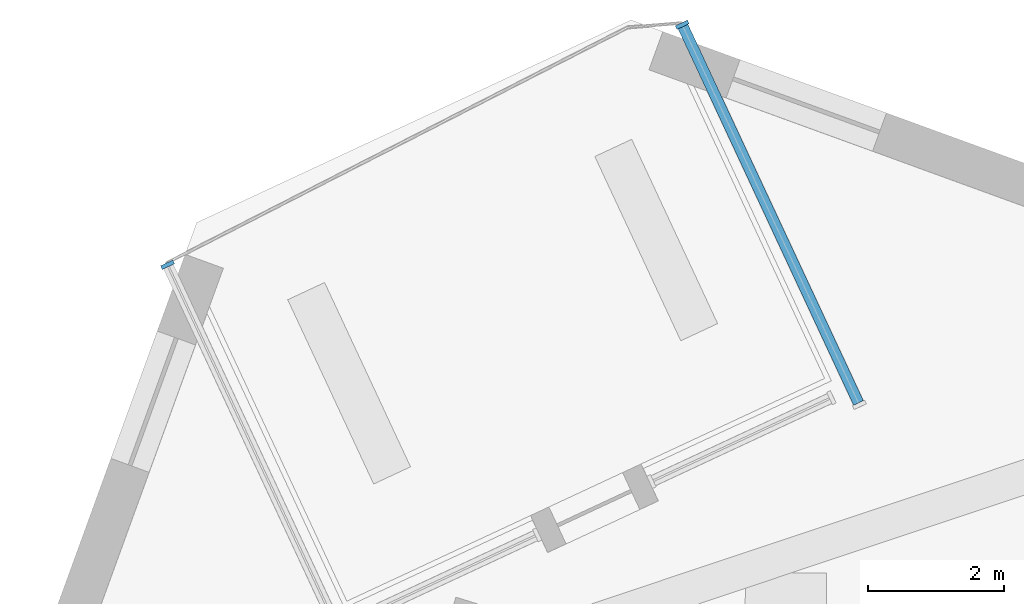
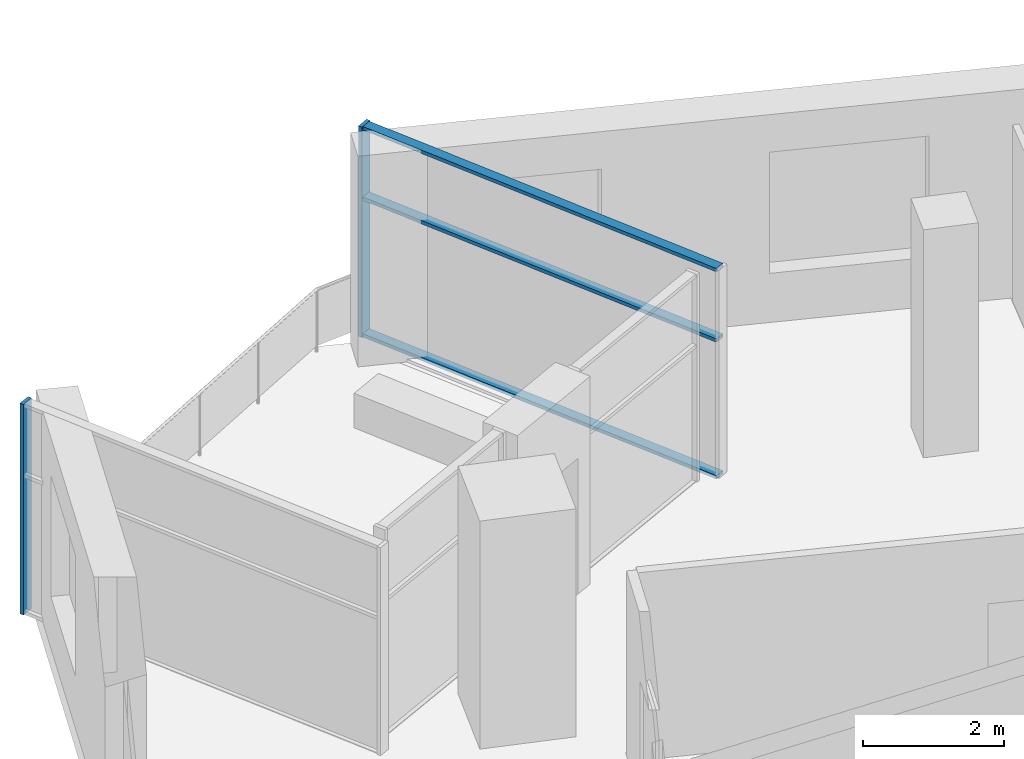
# One storey, part 4 of 13: 5 members, 2 elements without a shape of their own.
"""IFC4 building model written with IfcOpenShell, lengths in metres."""

from ifc_helpers import new_model, si_unit, direction, frame, origin, origin_2d, place, context, subcontext, project, spatial, rectangle, extrude, material, material_profile, profile_set, type_object, element, aggregate, save


model = new_model("IFC4")

# Units and contexts
model_context = context("Model", 3, precision=1e-05, world=origin(), true_north=direction((0.0, 1.0)))
body_context = subcontext(model_context, "Body", "Model", "MODEL_VIEW")
ifc_project = project(units=[si_unit("LENGTHUNIT", "METRE"), si_unit("AREAUNIT", "SQUARE_METRE"), si_unit("VOLUMEUNIT", "CUBIC_METRE"), si_unit("PLANEANGLEUNIT", "RADIAN"), si_unit("MASSUNIT", "GRAM", prefix="KILO")], contexts=[model_context])

# Site, building, storey
site_placement = place(None, origin())
site = spatial("IfcSite", under=ifc_project, at=site_placement, CompositionType="ELEMENT")
building_placement = place(site_placement, origin())
building = spatial("IfcBuilding", under=site, at=building_placement, Name="Dilmun Exchange Tower", CompositionType="ELEMENT")
storey_placement = place(building_placement, frame((0.0, 0.0, 312.5)))
storey = spatial("IfcBuildingStorey", under=building, at=storey_placement, Name="L74", CompositionType="ELEMENT", Elevation=312.5)

# Curtain wall, member
ifc_material_1 = material(Name="Anodised aluminium and clear glass", Category="aluminium")
curtain_wall_type = type_object("IfcCurtainWallType", Name="Garden corner glazing", PredefinedType="NOTDEFINED", material=ifc_material_1)
curtain_wall_1_placement = place(storey_placement, origin())
curtain_wall_1 = element("IfcCurtainWall", 1, at=curtain_wall_1_placement, inside=storey, type_object=curtain_wall_type, Name="Garden corner glazing run GC1.1", PredefinedType="NOTDEFINED")
ifc_material_2 = material(Name="Anodised aluminium", Category="aluminium")
ifc_material_profile_1 = material_profile(ifc_material_2, rectangle(XDim=0.199951171875, YDim=0.06005859375, at=origin_2d()), Name="AL 60x200")
ifc_profile_set_1 = profile_set([ifc_material_profile_1], Name="Anodised aluminium")
member_type_1 = type_object("IfcMemberType", Name="Garden corner glazing mullion 60 x 200", PredefinedType="MULLION", material=ifc_profile_set_1)
member_1_placement = place(storey_placement, frame((-9.658203125, 35.643798828125, 0.0), z_axis=(0.0, 0.0, 1.0), x_axis=(0.906305390357, 0.4226234014, 0.0)))
member_1 = element("IfcMember", 2, at=member_1_placement, type_object=member_type_1, Name="GC1.1 mullion 1", PredefinedType="MULLION", context=body_context, shape_type="SweptSolid", body=[
    extrude(rectangle(XDim=0.199951171875, YDim=0.06005859375, at=origin_2d()), origin(), (0.0, 0.0, 1.0), 3.64990234375),
])

curtain_wall_2_placement = place(storey_placement, origin())
curtain_wall_2 = element("IfcCurtainWall", 3, at=curtain_wall_2_placement, inside=storey, type_object=curtain_wall_type, Name="Garden corner glazing run GC3.1", PredefinedType="NOTDEFINED")
member_2_placement = place(storey_placement, frame((-17.25146484375, 32.10302734375, 0.0), z_axis=(0.0, 0.0, 1.0), x_axis=(-0.906305390357, -0.4226234014, 0.0)))
member_2 = element("IfcMember", 4, at=member_2_placement, type_object=member_type_1, Name="GC3.1 mullion 2", PredefinedType="MULLION", context=body_context, shape_type="SweptSolid", body=[
    extrude(rectangle(XDim=0.199951171875, YDim=0.06005859375, at=origin_2d()), origin(), (0.0, 0.0, 1.0), 3.64990234375),
])
aggregate(curtain_wall_2, [member_2])

# Member
ifc_material_profile_2 = material_profile(ifc_material_2, rectangle(XDim=0.159912109375, YDim=0.06005859375, at=origin_2d()), Name="AL 60x160")
ifc_profile_set_2 = profile_set([ifc_material_profile_2], Name="Anodised aluminium")
member_type_2 = type_object("IfcMemberType", Name="Garden corner glazing transom 60 x 160", PredefinedType="USERDEFINED", material=ifc_profile_set_2)
member_3_placement = place(storey_placement, frame((-9.6455078125, 35.61669921875, 0.030029296875), z_axis=(0.422610567282, -0.906311374982, 0.0), x_axis=(0.906311374982, 0.422610567282, 0.0)))
member_3 = element("IfcMember", 5, at=member_3_placement, type_object=member_type_2, Name="GC1.1 transom 1.1", ObjectType="TRANSOM", PredefinedType="USERDEFINED", context=body_context, shape_type="SweptSolid", body=[
    extrude(rectangle(XDim=0.159912109375, YDim=0.06005859375, at=origin_2d()), origin(), (0.0, 0.0, 1.0), 6.12646484375),
])

member_4_placement = place(storey_placement, frame((-9.6455078125, 35.61669921875, 2.39990234375), z_axis=(0.422610567282, -0.906311374982, 0.0), x_axis=(0.906311374982, 0.422610567282, 0.0)))
member_4 = element("IfcMember", 6, at=member_4_placement, type_object=member_type_2, Name="GC1.1 transom 1.2", ObjectType="TRANSOM", PredefinedType="USERDEFINED", context=body_context, shape_type="SweptSolid", body=[
    extrude(rectangle(XDim=0.159912109375, YDim=0.06005859375, at=origin_2d()), origin(), (0.0, 0.0, 1.0), 6.12646484375),
])

member_5_placement = place(storey_placement, frame((-9.6455078125, 35.61669921875, 3.6201171875), z_axis=(0.422610567282, -0.906311374982, 0.0), x_axis=(0.906311374982, 0.422610567282, 0.0)))
member_5 = element("IfcMember", 7, at=member_5_placement, type_object=member_type_2, Name="GC1.1 transom 1.3", ObjectType="TRANSOM", PredefinedType="USERDEFINED", context=body_context, shape_type="SweptSolid", body=[
    extrude(rectangle(XDim=0.159912109375, YDim=0.06005859375, at=origin_2d()), origin(), (0.0, 0.0, 1.0), 6.12646484375),
])

aggregate(curtain_wall_1, [member_1, member_3, member_4, member_5])

save(model, "model.ifc")
